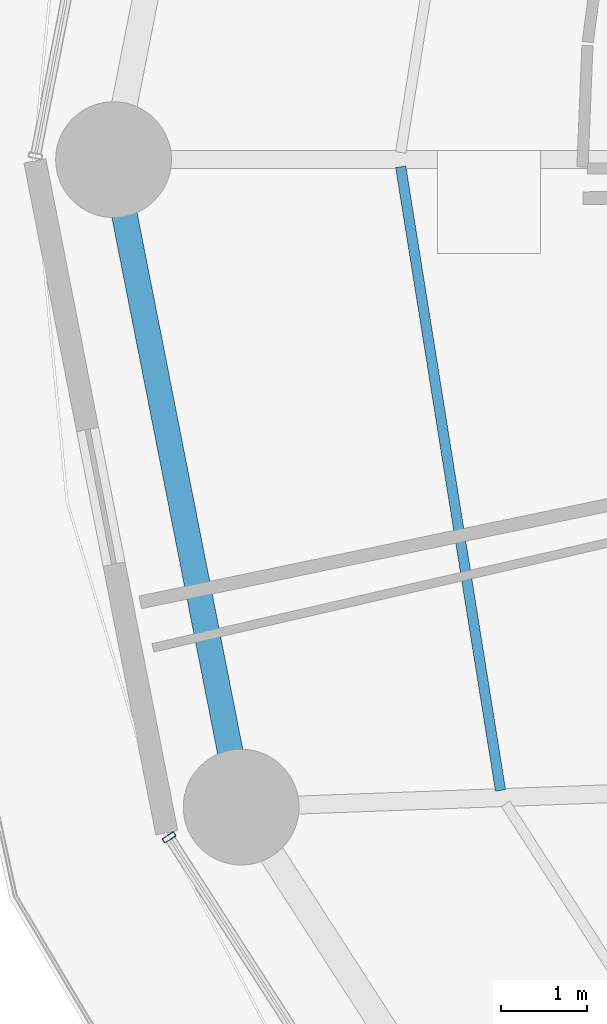
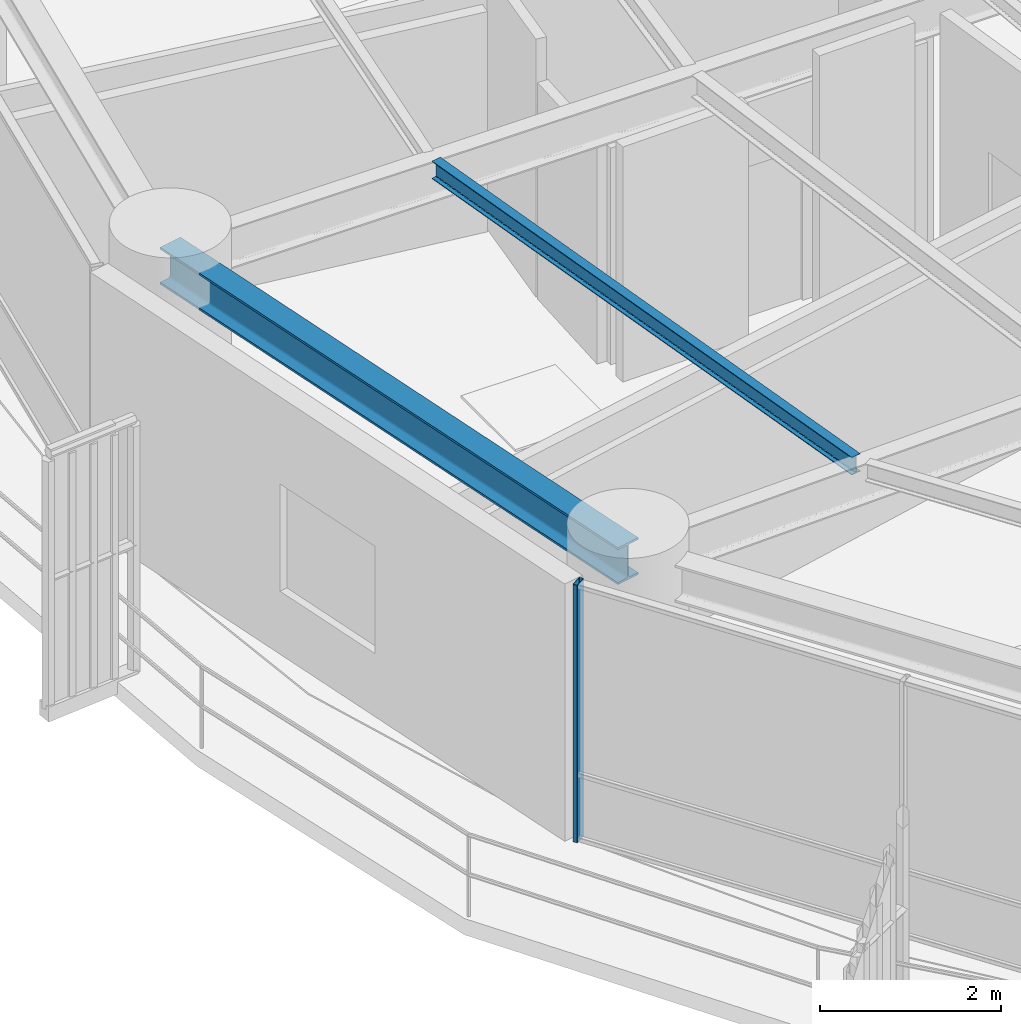
# One storey, part 6 of 35: 2 beams, 1 member, 1 element without a shape of its own.
"""IFC4 building model written with IfcOpenShell, lengths in metres."""

from ifc_helpers import new_model, si_unit, direction, frame, origin, origin_2d, place, context, subcontext, project, spatial, hollow_rectangle, i_section, extrude, material, layer, layer_set, material_profile, profile_set, type_object, element, aggregate, save


model = new_model("IFC4")

# Units and contexts
model_context = context("Model", 3, precision=1e-05, world=origin(), true_north=direction((0.0, 1.0)))
body_context = subcontext(model_context, "Body", "Model", "MODEL_VIEW")
ifc_project = project(units=[si_unit("LENGTHUNIT", "METRE"), si_unit("AREAUNIT", "SQUARE_METRE"), si_unit("VOLUMEUNIT", "CUBIC_METRE"), si_unit("PLANEANGLEUNIT", "RADIAN"), si_unit("MASSUNIT", "GRAM", prefix="KILO")], contexts=[model_context])

# Site, building, storey
site_placement = place(None, origin())
site = spatial("IfcSite", under=ifc_project, at=site_placement, CompositionType="ELEMENT")
building_placement = place(site_placement, origin())
building = spatial("IfcBuilding", under=site, at=building_placement, Name="Kelanora Arch Commons", CompositionType="ELEMENT")
storey_placement = place(building_placement, frame((0.0, 0.0, 95.10009765625)))
storey = spatial("IfcBuildingStorey", under=building, at=storey_placement, Name="L24", CompositionType="ELEMENT", Elevation=95.10009765625)

# Beams
ifc_material_1 = material(Name="Steel S355", Category="steel")
ifc_material_profile_1 = material_profile(ifc_material_1, i_section(OverallWidth=0.1201171875, OverallDepth=0.239990234375, WebThickness=0.006103515625, FlangeThickness=0.009765625, FilletRadius=0.014892578125, at=origin_2d()), Name="IPE240")
ifc_profile_set_1 = profile_set([ifc_material_profile_1], Name="Steel S355")
beam_type_1 = type_object("IfcBeamType", Name="BM-JST-02", PredefinedType="JOIST", material=ifc_profile_set_1)
beam_1_placement = place(storey_placement, frame((52.66943359375, 57.916015625, 3.369873046875), z_axis=(0.157999549894, -0.987439184068, 0.0), x_axis=(0.987439184068, 0.157999549894, 0.0)))
element("IfcBeam", 1, at=beam_1_placement, inside=storey, type_object=beam_type_1, Name="Secondary Chord Joist BJC-18 L24", PredefinedType="JOIST", context=body_context, shape_type="SweptSolid", body=[
    extrude(i_section(OverallWidth=0.1201171875, OverallDepth=0.239990234375, WebThickness=0.006103515625, FlangeThickness=0.009765625, FilletRadius=0.014892578125, at=origin_2d()), origin(), (0.0, 0.0, 1.0), 7.365966796875),
])
ifc_material_profile_2 = material_profile(ifc_material_1, i_section(OverallWidth=0.300048828125, OverallDepth=0.5, WebThickness=0.014404296875, FlangeThickness=0.028076171875, FilletRadius=0.027099609375, at=origin_2d()), Name="HEB500")
ifc_profile_set_2 = profile_set([ifc_material_profile_2], Name="Steel S355")
beam_type_2 = type_object("IfcBeamType", Name="BM-SPN-Z2", PredefinedType="SPANDREL", material=ifc_profile_set_2)
beam_2_placement = place(storey_placement, frame((49.320068359375, 58.0, 3.239990234375), z_axis=(0.19335825777, -0.981128220037, 0.0), x_axis=(0.981128220037, 0.19335825777, 0.0)))
element("IfcBeam", 2, at=beam_2_placement, inside=storey, type_object=beam_type_2, Name="Perimeter Spandrel Beam BS-18 L24", PredefinedType="SPANDREL", context=body_context, shape_type="SweptSolid", body=[
    extrude(i_section(OverallWidth=0.300048828125, OverallDepth=0.5, WebThickness=0.014404296875, FlangeThickness=0.028076171875, FilletRadius=0.027099609375, at=origin_2d()), origin(), (0.0, 0.0, 1.0), 7.697021484375),
])

# Curtain wall, member
ifc_material_2 = material(Name="Terracotta ceramic-fritted low-E glass and aluminium", Category="masonry")
ifc_layer = layer(ifc_material_2, 0.159912109375)
ifc_layer_set = layer_set([ifc_layer], Name="Terracotta ceramic-fritted low-E glass and aluminium")
curtain_wall_type = type_object("IfcCurtainWallType", Name="CW-SYS-01", PredefinedType="NOTDEFINED", material=ifc_layer_set)
curtain_wall_placement = place(storey_placement, origin())
curtain_wall = element("IfcCurtainWall", 3, at=curtain_wall_placement, inside=storey, type_object=curtain_wall_type, Name="Unitised Curtain Wall L24-B10", PredefinedType="NOTDEFINED")
ifc_material_3 = material(Name="Powder-coated aluminium terracotta", Category="masonry")
ifc_material_profile_3 = material_profile(ifc_material_3, hollow_rectangle(XDim=0.159912109375, YDim=0.06005859375, WallThickness=0.0048828125, InnerFilletRadius=0.0048828125, OuterFilletRadius=0.010009765625, at=origin_2d()), Name="CWM160x60")
ifc_profile_set_3 = profile_set([ifc_material_profile_3], Name="Powder-coated aluminium terracotta")
member_type = type_object("IfcMemberType", Name="CWM-STD", PredefinedType="MULLION", material=ifc_profile_set_3)
member_placement = place(storey_placement, frame((49.96826171875, 50.095703125, 0.0), z_axis=(0.0, 0.0, 1.0), x_axis=(0.841268883088, 0.540616931244, 0.0)))
member = element("IfcMember", 4, at=member_placement, type_object=member_type, Name="CW-01 mullion 1", PredefinedType="MULLION", context=body_context, shape_type="SweptSolid", body=[
    extrude(hollow_rectangle(XDim=0.159912109375, YDim=0.06005859375, WallThickness=0.0048828125, InnerFilletRadius=0.0048828125, OuterFilletRadius=0.010009765625, at=origin_2d()), origin(), (0.0, 0.0, 1.0), 3.474853515625),
])
aggregate(curtain_wall, [member])

save(model, "model.ifc")
